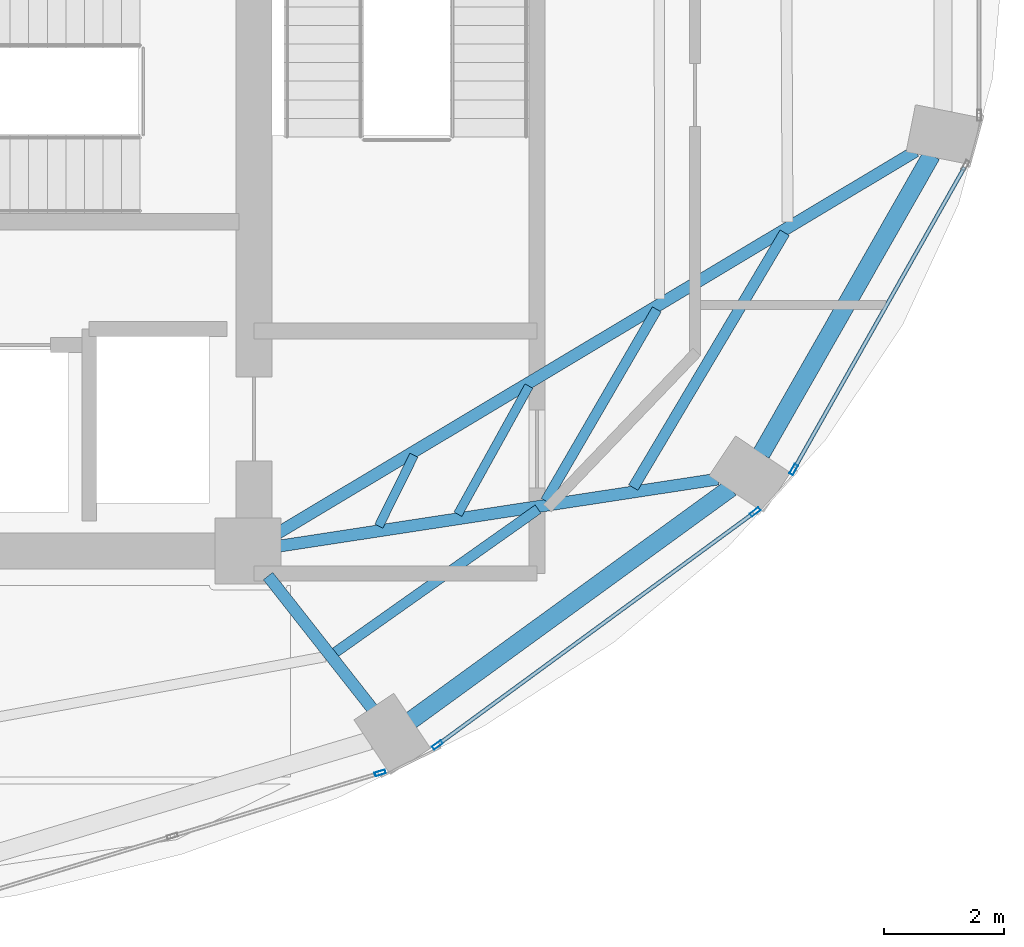
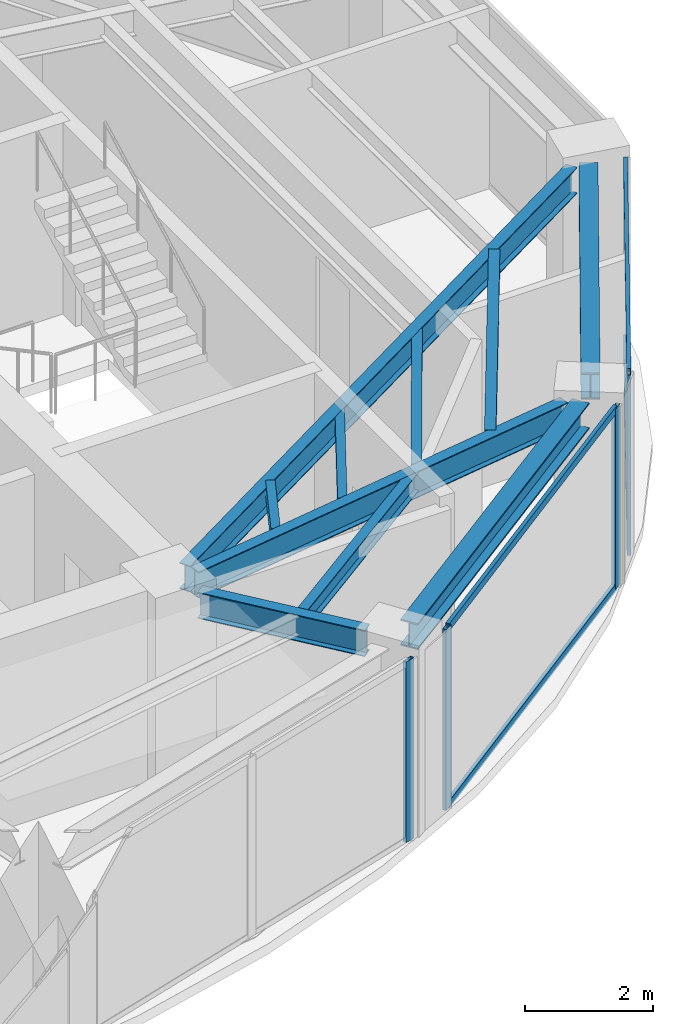
# One storey, part 13 of 22: 10 beams, 8 members, 3 elements without a shape of their own.
"""IFC4 building model written with IfcOpenShell, lengths in metres."""

from ifc_helpers import new_model, si_unit, direction, frame, origin, origin_2d, place, context, subcontext, project, spatial, hollow_rectangle, i_section, extrude, material, layer, layer_set, material_profile, profile_set, type_object, element, aggregate, save


model = new_model("IFC4")

# Units and contexts
model_context = context("Model", 3, precision=1e-05, world=origin(), true_north=direction((0.0, 1.0)))
body_context = subcontext(model_context, "Body", "Model", "MODEL_VIEW")
ifc_project = project(units=[si_unit("LENGTHUNIT", "METRE"), si_unit("AREAUNIT", "SQUARE_METRE"), si_unit("VOLUMEUNIT", "CUBIC_METRE"), si_unit("PLANEANGLEUNIT", "RADIAN"), si_unit("MASSUNIT", "GRAM", prefix="KILO")], contexts=[model_context])

# Site, building, storey
site_placement = place(None, origin())
site = spatial("IfcSite", under=ifc_project, at=site_placement, CompositionType="ELEMENT")
building_placement = place(site_placement, origin())
building = spatial("IfcBuilding", under=site, at=building_placement, Name="Lazwardi Medical Tower", CompositionType="ELEMENT")
storey_placement = place(building_placement, frame((0.0, 0.0, 227.6640625)))
storey = spatial("IfcBuildingStorey", under=building, at=storey_placement, Name="L59", CompositionType="ELEMENT", Elevation=227.6640625)

# Beams
ifc_material_1 = material(Name="Steel S355", Category="steel")
ifc_material_profile_1 = material_profile(ifc_material_1, i_section(OverallWidth=0.300048828125, OverallDepth=0.5, WebThickness=0.014404296875, FlangeThickness=0.028076171875, at=origin_2d()), Name="HEB 500")
ifc_profile_set_1 = profile_set([ifc_material_profile_1], Name="Steel S355")
beam_type_1 = type_object("IfcBeamType", Name="BM-RB-Z4", PredefinedType="BEAM", material=ifc_profile_set_1)
beam_1_placement = place(storey_placement, frame((48.31591796875, 17.5751953125, 3.197998046875), z_axis=(0.808889916254, 0.587960120571, 0.0), x_axis=(-0.587960120571, 0.808889916254, 0.0)))
element("IfcBeam", 1, at=beam_1_placement, inside=storey, type_object=beam_type_1, Name="Ring beam RB-05 B02 L59", PredefinedType="BEAM", context=body_context, shape_type="SweptSolid", body=[
    extrude(i_section(OverallWidth=0.300048828125, OverallDepth=0.5, WebThickness=0.014404296875, FlangeThickness=0.028076171875, at=origin_2d()), origin(), (0.0, 0.0, 1.0), 6.587158203125),
])
beam_2_placement = place(storey_placement, frame((54.15283203125, 22.016357421875, 3.197998046875), z_axis=(0.495125273299, 0.868821594886, 0.0), x_axis=(-0.868821594886, 0.495125273299, 0.0)))
element("IfcBeam", 2, at=beam_2_placement, inside=storey, type_object=beam_type_1, Name="Ring beam RB-05 B03 L59", PredefinedType="BEAM", context=body_context, shape_type="SweptSolid", body=[
    extrude(i_section(OverallWidth=0.300048828125, OverallDepth=0.5, WebThickness=0.014404296875, FlangeThickness=0.028076171875, at=origin_2d()), origin(), (0.0, 0.0, 1.0), 5.734130859375),
])
ifc_material_profile_2 = material_profile(ifc_material_1, i_section(OverallWidth=0.199951171875, OverallDepth=0.5, WebThickness=0.01025390625, FlangeThickness=0.01611328125, at=origin_2d()), Name="IPE 500")
ifc_profile_set_2 = profile_set([ifc_material_profile_2], Name="Steel S355")
beam_type_2 = type_object("IfcBeamType", Name="BM-RG-W3", PredefinedType="BEAM", material=ifc_profile_set_2)
beam_3_placement = place(storey_placement, frame((47.669677734375, 17.7666015625, 3.197998046875), z_axis=(-0.617890508382, 0.786264153864, 0.0), x_axis=(-0.786264153864, -0.617890508382, 0.0)))
element("IfcBeam", 3, at=beam_3_placement, inside=storey, type_object=beam_type_2, Name="Radial girder RG-04 R02 L59", PredefinedType="BEAM", context=body_context, shape_type="SweptSolid", body=[
    extrude(i_section(OverallWidth=0.199951171875, OverallDepth=0.5, WebThickness=0.01025390625, FlangeThickness=0.01611328125, at=origin_2d()), origin(), (0.0, 0.0, 1.0), 2.814453125),
])
beam_4_placement = place(storey_placement, frame((53.430908203125, 21.5966796875, 3.197998046875), z_axis=(-0.988522137285, -0.151076087115, 0.0), x_axis=(0.151076087115, -0.988522137285, 0.0)))
element("IfcBeam", 4, at=beam_4_placement, inside=storey, type_object=beam_type_2, Name="Radial girder RG-04 R03 L59", PredefinedType="BEAM", context=body_context, shape_type="SweptSolid", body=[
    extrude(i_section(OverallWidth=0.199951171875, OverallDepth=0.5, WebThickness=0.01025390625, FlangeThickness=0.01611328125, at=origin_2d()), origin(), (0.0, 0.0, 1.0), 7.38671875),
])
beam_5_placement = place(storey_placement, frame((56.72607421875, 27.062255859375, 3.197998046875), z_axis=(-0.857944804603, -0.513741873176, 0.0), x_axis=(0.513741873176, -0.857944804603, 0.0)))
element("IfcBeam", 5, at=beam_5_placement, inside=storey, type_object=beam_type_2, Name="Radial girder RG-04 R04 L59", PredefinedType="BEAM", context=body_context, shape_type="SweptSolid", body=[
    extrude(i_section(OverallWidth=0.199951171875, OverallDepth=0.5, WebThickness=0.01025390625, FlangeThickness=0.01611328125, at=origin_2d()), origin(), (0.0, 0.0, 1.0), 12.43310546875),
])
ifc_material_profile_3 = material_profile(ifc_material_1, i_section(OverallWidth=0.179931640625, OverallDepth=0.39990234375, WebThickness=0.008544921875, FlangeThickness=0.013427734375, at=origin_2d()), Name="IPE 400")
ifc_profile_set_3 = profile_set([ifc_material_profile_3], Name="Steel S355")
beam_type_3 = type_object("IfcBeamType", Name="BM-SJ-01", PredefinedType="JOIST", material=ifc_profile_set_3)
beam_6_placement = place(storey_placement, frame((52.01904296875, 21.455078125, 3.248046875), z_axis=(0.510967866251, 0.859599813668, 0.0), x_axis=(-0.859599813668, 0.510967866251, 0.0)))
element("IfcBeam", 6, at=beam_6_placement, inside=storey, type_object=beam_type_3, Name="Secondary joist SJ-01 R1 B03 L59", PredefinedType="JOIST", context=body_context, shape_type="SweptSolid", body=[
    extrude(i_section(OverallWidth=0.179931640625, OverallDepth=0.39990234375, WebThickness=0.008544921875, FlangeThickness=0.013427734375, at=origin_2d()), origin(), (0.0, 0.0, 1.0), 4.94189453125),
])
ifc_material_profile_4 = material_profile(ifc_material_1, i_section(OverallWidth=0.169921875, OverallDepth=0.360107421875, WebThickness=0.008056640625, FlangeThickness=0.0126953125, at=origin_2d()), Name="IPE 360")
ifc_profile_set_4 = profile_set([ifc_material_profile_4], Name="Steel S355")
beam_type_4 = type_object("IfcBeamType", Name="BM-SJ-02", PredefinedType="JOIST", material=ifc_profile_set_4)
beam_7_placement = place(storey_placement, frame((47.051513671875, 18.70654296875, 3.267822265625), z_axis=(0.816711190406, 0.577046645832, 0.0), x_axis=(-0.577046645832, 0.816711190406, 0.0)))
element("IfcBeam", 7, at=beam_7_placement, inside=storey, type_object=beam_type_4, Name="Secondary joist SJ-02 R2 B02 L59", PredefinedType="JOIST", context=body_context, shape_type="SweptSolid", body=[
    extrude(i_section(OverallWidth=0.169921875, OverallDepth=0.360107421875, WebThickness=0.008056640625, FlangeThickness=0.0126953125, at=origin_2d()), origin(), (0.0, 0.0, 1.0), 4.139892578125),
])
beam_8_placement = place(storey_placement, frame((50.5576171875, 21.232421875, 3.267822265625), z_axis=(0.50218018565, 0.864763008657, 0.0), x_axis=(-0.864763008657, 0.50218018565, 0.0)))
element("IfcBeam", 8, at=beam_8_placement, inside=storey, type_object=beam_type_4, Name="Secondary joist SJ-02 R2 B03 L59", PredefinedType="JOIST", context=body_context, shape_type="SweptSolid", body=[
    extrude(i_section(OverallWidth=0.169921875, OverallDepth=0.360107421875, WebThickness=0.008056640625, FlangeThickness=0.0126953125, at=origin_2d()), origin(), (0.0, 0.0, 1.0), 3.69189453125),
])
ifc_material_profile_5 = material_profile(ifc_material_1, i_section(OverallWidth=0.14990234375, OverallDepth=0.300048828125, WebThickness=0.007080078125, FlangeThickness=0.0107421875, at=origin_2d()), Name="IPE 300")
ifc_profile_set_5 = profile_set([ifc_material_profile_5], Name="Steel S355")
beam_type_5 = type_object("IfcBeamType", Name="BM-SJ-03", PredefinedType="JOIST", material=ifc_profile_set_5)
beam_9_placement = place(storey_placement, frame((49.095703125, 21.01025390625, 3.2978515625), z_axis=(0.484751625998, 0.874651851363, 0.0), x_axis=(-0.874651851363, 0.484751625998, 0.0)))
element("IfcBeam", 9, at=beam_9_placement, inside=storey, type_object=beam_type_5, Name="Secondary joist SJ-03 R3 B03 L59", PredefinedType="JOIST", context=body_context, shape_type="SweptSolid", body=[
    extrude(i_section(OverallWidth=0.14990234375, OverallDepth=0.300048828125, WebThickness=0.007080078125, FlangeThickness=0.0107421875, at=origin_2d()), origin(), (0.0, 0.0, 1.0), 2.442626953125),
])
beam_10_placement = place(storey_placement, frame((47.777587890625, 20.811279296875, 3.2978515625), z_axis=(0.443587297772, 0.89623116954, 0.0), x_axis=(-0.89623116954, 0.443587297772, 0.0)))
element("IfcBeam", 10, at=beam_10_placement, inside=storey, type_object=beam_type_5, Name="Secondary joist SJ-03 R4 B03 L59", PredefinedType="JOIST", context=body_context, shape_type="SweptSolid", body=[
    extrude(i_section(OverallWidth=0.14990234375, OverallDepth=0.300048828125, WebThickness=0.007080078125, FlangeThickness=0.0107421875, at=origin_2d()), origin(), (0.0, 0.0, 1.0), 1.32080078125),
])

# Curtain wall, member
ifc_material_2 = material(Name="Anodised bronze aluminium and solar control glazing", Category="aluminium")
ifc_layer = layer(ifc_material_2, 0.18994140625)
ifc_layer_set = layer_set([ifc_layer], Name="Anodised bronze aluminium and solar control glazing")
curtain_wall_type = type_object("IfcCurtainWallType", Name="CW-SYS-04", PredefinedType="NOTDEFINED", material=ifc_layer_set)
curtain_wall_1_placement = place(storey_placement, origin())
curtain_wall_1 = element("IfcCurtainWall", 11, at=curtain_wall_1_placement, inside=storey, type_object=curtain_wall_type, Name="L59 Unitised bronze curtain wall CW-04", PredefinedType="NOTDEFINED")
ifc_material_3 = material(Name="Anodised bronze aluminium", Category="aluminium")
ifc_material_profile_6 = material_profile(ifc_material_3, hollow_rectangle(XDim=0.06494140625, YDim=0.179931640625, WallThickness=0.00390625, at=origin_2d()), Name="ALU-MULLION 180x65x4")
ifc_profile_set_6 = profile_set([ifc_material_profile_6], Name="Anodised bronze aluminium")
member_type_1 = type_object("IfcMemberType", Name="CW-MUL-03", PredefinedType="MULLION", material=ifc_profile_set_6)
member_1_placement = place(storey_placement, frame((47.7998046875, 16.696533203125, 0.0), z_axis=(0.0, 0.0, 1.0), x_axis=(-0.290581889515, 0.956850126972, 0.0)))
member_1 = element("IfcMember", 12, at=member_1_placement, type_object=member_type_1, Name="CW-04 mullion 3", PredefinedType="MULLION", context=body_context, shape_type="SweptSolid", body=[
    extrude(hollow_rectangle(XDim=0.06494140625, YDim=0.179931640625, WallThickness=0.00390625, at=origin_2d()), origin(), (0.0, 0.0, 1.0), 3.447998046875),
])
aggregate(curtain_wall_1, [member_1])

# Curtain wall, members
curtain_wall_2_placement = place(storey_placement, origin())
curtain_wall_2 = element("IfcCurtainWall", 13, at=curtain_wall_2_placement, inside=storey, type_object=curtain_wall_type, Name="L59 Unitised bronze curtain wall CW-04", PredefinedType="NOTDEFINED")
member_2_placement = place(storey_placement, frame((48.75537109375, 17.1650390625, 0.0), z_axis=(0.0, 0.0, 1.0), x_axis=(-0.591268230971, 0.806474971121, 0.0)))
member_2 = element("IfcMember", 14, at=member_2_placement, type_object=member_type_1, Name="CW-04 mullion 1", PredefinedType="MULLION", context=body_context, shape_type="SweptSolid", body=[
    extrude(hollow_rectangle(XDim=0.06494140625, YDim=0.179931640625, WallThickness=0.00390625, at=origin_2d()), origin(), (0.0, 0.0, 1.0), 3.447998046875),
])
member_3_placement = place(storey_placement, frame((54.052001953125, 21.04833984375, 0.0), z_axis=(0.0, 0.0, 1.0), x_axis=(-0.591268230971, 0.806474971121, 0.0)))
member_3 = element("IfcMember", 15, at=member_3_placement, type_object=member_type_1, Name="CW-04 mullion 2", PredefinedType="MULLION", context=body_context, shape_type="SweptSolid", body=[
    extrude(hollow_rectangle(XDim=0.06494140625, YDim=0.179931640625, WallThickness=0.00390625, at=origin_2d()), origin(), (0.0, 0.0, 1.0), 3.447998046875),
])

# Curtain wall, member
curtain_wall_3_placement = place(storey_placement, origin())
curtain_wall_3 = element("IfcCurtainWall", 16, at=curtain_wall_3_placement, inside=storey, type_object=curtain_wall_type, Name="L59 Unitised bronze curtain wall CW-04", PredefinedType="NOTDEFINED")
member_4_placement = place(storey_placement, frame((54.6943359375, 21.75439453125, 0.0), z_axis=(0.0, 0.0, 1.0), x_axis=(-0.870651436011, 0.491900474661, 0.0)))
member_4 = element("IfcMember", 17, at=member_4_placement, type_object=member_type_1, Name="CW-04 mullion 1", PredefinedType="MULLION", context=body_context, shape_type="SweptSolid", body=[
    extrude(hollow_rectangle(XDim=0.06494140625, YDim=0.179931640625, WallThickness=0.00390625, at=origin_2d()), origin(), (0.0, 0.0, 1.0), 3.447998046875),
])

# Member
ifc_material_profile_7 = material_profile(ifc_material_3, hollow_rectangle(XDim=0.06494140625, YDim=0.139892578125, WallThickness=0.00341796875, at=origin_2d()), Name="ALU-TRANSOM 140x65x3.5")
ifc_profile_set_7 = profile_set([ifc_material_profile_7], Name="Anodised bronze aluminium")
member_type_2 = type_object("IfcMemberType", Name="CW-TRN-03", PredefinedType="USERDEFINED", material=ifc_profile_set_7)
member_5_placement = place(storey_placement, frame((48.781494140625, 17.184326171875, 0.032470703125), z_axis=(0.80648973359, 0.591248094808, 0.0), x_axis=(-0.591248094808, 0.80648973359, 0.0)))
member_5 = element("IfcMember", 18, at=member_5_placement, type_object=member_type_2, Name="CW-04 transom 1.1", ObjectType="TRANSOM", PredefinedType="USERDEFINED", context=body_context, shape_type="SweptSolid", body=[
    extrude(hollow_rectangle(XDim=0.06494140625, YDim=0.139892578125, WallThickness=0.00341796875, at=origin_2d()), origin(), (0.0, 0.0, 1.0), 6.502685546875),
])

member_6_placement = place(storey_placement, frame((48.781494140625, 17.184326171875, 3.41552734375), z_axis=(0.80648973359, 0.591248094808, 0.0), x_axis=(-0.591248094808, 0.80648973359, 0.0)))
member_6 = element("IfcMember", 19, at=member_6_placement, type_object=member_type_2, Name="CW-04 transom 1.2", ObjectType="TRANSOM", PredefinedType="USERDEFINED", context=body_context, shape_type="SweptSolid", body=[
    extrude(hollow_rectangle(XDim=0.06494140625, YDim=0.139892578125, WallThickness=0.00341796875, at=origin_2d()), origin(), (0.0, 0.0, 1.0), 6.502685546875),
])

aggregate(curtain_wall_2, [member_2, member_3, member_5, member_6])

member_7_placement = place(storey_placement, frame((54.71044921875, 21.78271484375, 0.032470703125), z_axis=(0.491879719484, 0.87066316194, 0.0), x_axis=(-0.87066316194, 0.491879719484, 0.0)))
member_7 = element("IfcMember", 20, at=member_7_placement, type_object=member_type_2, Name="CW-04 transom 1.1", ObjectType="TRANSOM", PredefinedType="USERDEFINED", context=body_context, shape_type="SweptSolid", body=[
    extrude(hollow_rectangle(XDim=0.06494140625, YDim=0.139892578125, WallThickness=0.00341796875, at=origin_2d()), origin(), (0.0, 0.0, 1.0), 5.755126953125),
])

member_8_placement = place(storey_placement, frame((54.71044921875, 21.78271484375, 3.41552734375), z_axis=(0.491879719484, 0.87066316194, 0.0), x_axis=(-0.87066316194, 0.491879719484, 0.0)))
member_8 = element("IfcMember", 21, at=member_8_placement, type_object=member_type_2, Name="CW-04 transom 1.2", ObjectType="TRANSOM", PredefinedType="USERDEFINED", context=body_context, shape_type="SweptSolid", body=[
    extrude(hollow_rectangle(XDim=0.06494140625, YDim=0.139892578125, WallThickness=0.00341796875, at=origin_2d()), origin(), (0.0, 0.0, 1.0), 5.755126953125),
])

aggregate(curtain_wall_3, [member_4, member_7, member_8])

save(model, "model.ifc")
